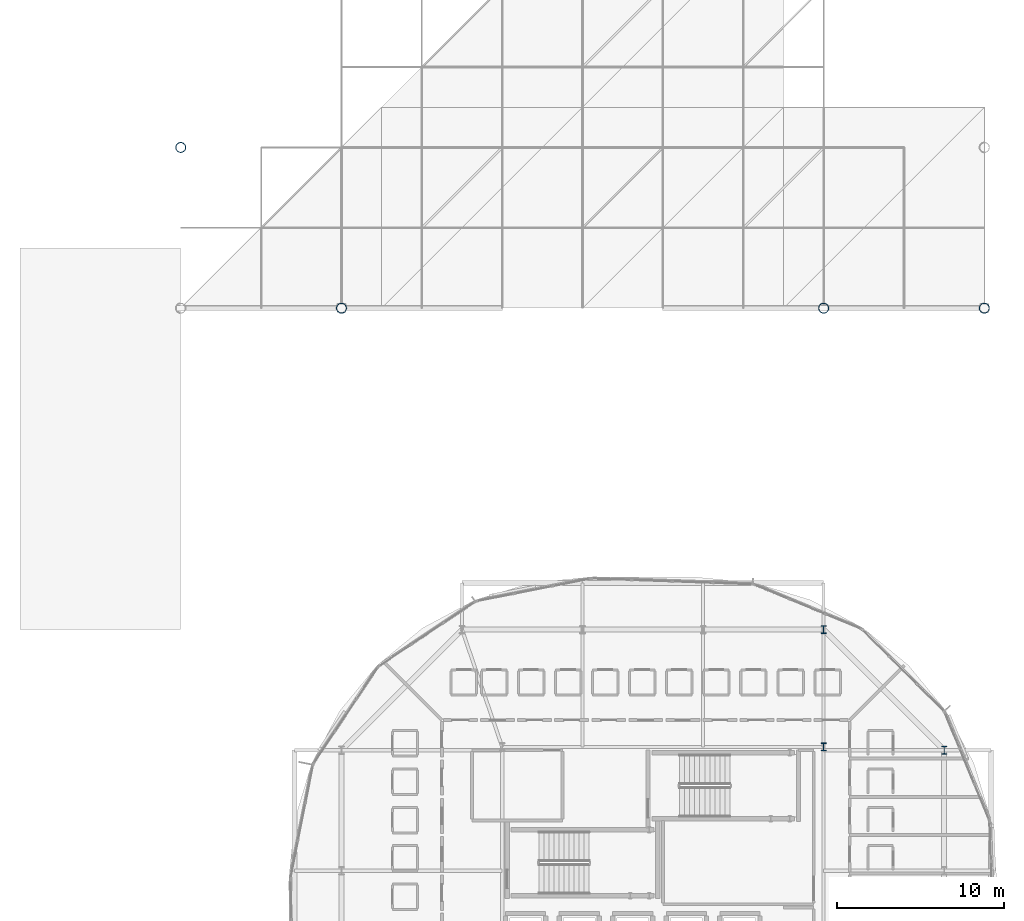
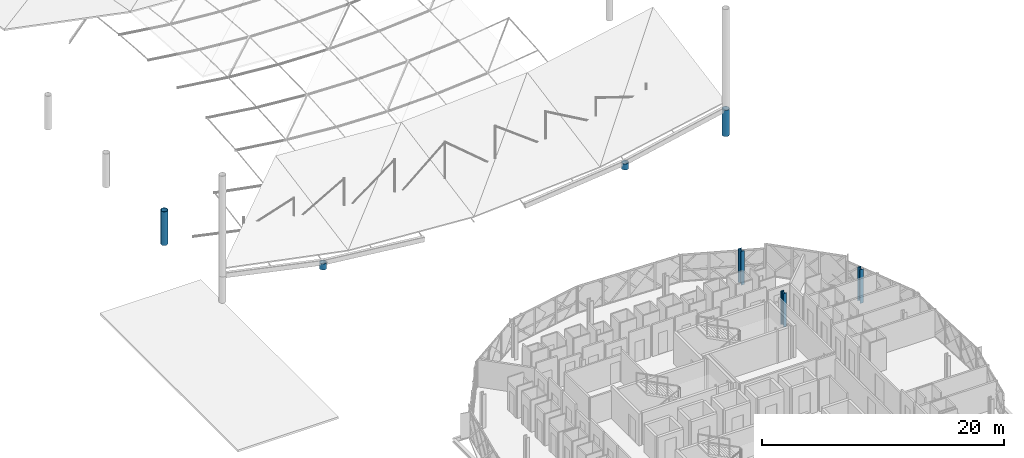
# One storey, part 5 of 40: 7 columns.
"""IFC4 building model written with IfcOpenShell, lengths in metres."""

import ifcopenshell
import ifcopenshell.guid

model = None  # the IFC model being written
_history = None  # IfcOwnerHistory: only IFC2X3 demands one
_inside = {}  # id of a spatial element -> (the spatial element, [elements in it])
_under = {}  # id of a project, library or spatial element -> (it, [spatial elements below it])
_declared = {}  # id of a project -> (the project, [libraries it declares])
_typed = {}  # id of a type object -> (the type object, [elements of that type])
_made_of = {}  # id of a material, layer set ... -> (it, [elements and type objects made of it])


def new_model(schema):
    """Start an empty IFC model of exactly this schema.

    Asked for "IFC4X3", IfcOpenShell would pick the latest addendum, in which some entities
    have other attributes; the version numbers below select the first issue.
    IFC2X3 requires an IfcOwnerHistory on every rooted entity: one is made here for all.
    """
    global model, _history
    if schema == "IFC4X3":
        model = ifcopenshell.file(schema_version=(4, 3, 0, 0))
    else:
        model = ifcopenshell.file(schema=schema)
    _inside.clear()
    _under.clear()
    _declared.clear()
    _typed.clear()
    _made_of.clear()
    _history = None
    if model.schema == "IFC2X3":
        org = make("IfcOrganization", Name="unknown")
        user = make(
            "IfcPersonAndOrganization",
            ThePerson=make("IfcPerson", FamilyName="unknown"),
            TheOrganization=org,
        )
        app = make(
            "IfcApplication",
            ApplicationDeveloper=org,
            Version="unknown",
            ApplicationFullName="unknown",
            ApplicationIdentifier="unknown",
        )
        _history = make(
            "IfcOwnerHistory",
            OwningUser=user,
            OwningApplication=app,
            ChangeAction="ADDED",
            CreationDate=0,
        )
    return model


def make(cls, **values):
    """One entity of the class cls with the attributes given. An attribute that is None is left unset."""
    return model.create_entity(
        cls, **{name: value for name, value in values.items() if value is not None}
    )


def rooted(cls, **values):
    """An entity with a GlobalId (a new one), such as an element, a storey or a relation."""
    return make(cls, GlobalId=ifcopenshell.guid.new(), OwnerHistory=_history, **values)


def si_unit(unit_type, name, prefix=None):
    """IfcSIUnit, for example si_unit("LENGTHUNIT", "METRE", prefix="MILLI")."""
    return make("IfcSIUnit", UnitType=unit_type, Prefix=prefix, Name=name)


def assignment(units):
    """IfcUnitAssignment: the units of a project."""
    return None if units is None else make("IfcUnitAssignment", Units=units)


def point(xyz):
    """IfcCartesianPoint."""
    return None if xyz is None else make("IfcCartesianPoint", Coordinates=xyz)


def direction(xyz):
    """IfcDirection."""
    return None if xyz is None else make("IfcDirection", DirectionRatios=xyz)


def frame(location, z_axis=None, x_axis=None):
    """IfcAxis2Placement3D, a coordinate frame: its origin and axes. An axis left out is left unset."""
    return make(
        "IfcAxis2Placement3D",
        Location=point(location),
        Axis=direction(z_axis),
        RefDirection=direction(x_axis),
    )


def frame_2d(location, x_axis=None):
    """IfcAxis2Placement2D, a coordinate frame in the plane: its origin and x axis."""
    return make(
        "IfcAxis2Placement2D", Location=point(location), RefDirection=direction(x_axis)
    )


def origin():
    """The frame at (0, 0, 0) with its axes left unset."""
    return frame((0.0, 0.0, 0.0))


def origin_2d():
    """The frame at (0, 0) in the plane with its x axis left unset."""
    return frame_2d((0.0, 0.0))


def place(relative_to, where):
    """IfcLocalPlacement: puts the frame where relative to a parent placement (None: the world)."""
    return make(
        "IfcLocalPlacement", PlacementRelTo=relative_to, RelativePlacement=where
    )


def context(
    kind, dimensions, precision=None, world=None, true_north=None, identifier=None
):
    """IfcGeometricRepresentationContext, for example the 3D "Model" context."""
    return make(
        "IfcGeometricRepresentationContext",
        ContextIdentifier=identifier,
        ContextType=kind,
        CoordinateSpaceDimension=dimensions,
        Precision=precision,
        WorldCoordinateSystem=world,
        TrueNorth=true_north,
    )


def subcontext(parent, identifier, kind, view, scale=None):
    """IfcGeometricRepresentationSubContext, for example "Body" below "Model"."""
    return make(
        "IfcGeometricRepresentationSubContext",
        ContextIdentifier=identifier,
        ContextType=kind,
        ParentContext=parent,
        TargetScale=scale,
        TargetView=view,
    )


def project(units=None, contexts=None):
    """IfcProject with its units and contexts."""
    return rooted(
        "IfcProject",
        Name="project",
        RepresentationContexts=contexts,
        UnitsInContext=assignment(units),
    )


def spatial(cls, under=None, at=None, **own):
    """A site, building, storey or space (cls), placed at a placement, below another one or the project."""
    s = rooted(cls, ObjectPlacement=at, **own)
    if under is not None:
        _under.setdefault(under.id(), (under, []))[1].append(s)
    return s


def profile(cls, at=None, kind="AREA", **sizes):
    """A parametric profile (cls). Its sizes go by their IFC names, for example OverallWidth=200.0."""
    return make(cls, ProfileType=kind, Position=at, **sizes)


def hollow_circle(**sizes):
    """IfcCircleHollowProfileDef."""
    return profile("IfcCircleHollowProfileDef", **sizes)


def i_section(**sizes):
    """IfcIShapeProfileDef."""
    return profile("IfcIShapeProfileDef", **sizes)


def extrude(swept, where, along, depth):
    """IfcExtrudedAreaSolid: the profile swept, set in the frame where, extruded along a direction by depth."""
    return make(
        "IfcExtrudedAreaSolid",
        SweptArea=swept,
        Position=where,
        ExtrudedDirection=direction(along),
        Depth=depth,
    )


def shape(context_of_items, identifier, shape_type, items):
    """IfcShapeRepresentation: the items that make up one representation, for example the "Body"."""
    return make(
        "IfcShapeRepresentation",
        ContextOfItems=context_of_items,
        RepresentationIdentifier=identifier,
        RepresentationType=shape_type,
        Items=items,
    )


def material(Name=None, Category=None):
    """IfcMaterial."""
    return make("IfcMaterial", Name=Name, Category=Category)


def material_profile(
    of_material, cross_section, Name=None, Category=None, Priority=None
):
    """IfcMaterialProfile: a cross section and its material."""
    return make(
        "IfcMaterialProfile",
        Name=Name,
        Material=of_material,
        Profile=cross_section,
        Priority=Priority,
        Category=Category,
    )


def profile_set(profiles, Name=None, composite=None):
    """IfcMaterialProfileSet."""
    return make(
        "IfcMaterialProfileSet",
        Name=Name,
        MaterialProfiles=profiles,
        CompositeProfile=composite,
    )


def made_of(thing, what):
    """Note that an element or type object is made of a material, layer set ...; save() writes the relation."""
    if what is not None:
        _made_of.setdefault(what.id(), (what, []))[1].append(thing)
    return thing


def type_object(cls, material=None, **own):
    """A type object (cls), such as IfcWallType, which elements share."""
    return made_of(rooted(cls, **own), material)


def element(
    cls,
    number,
    at=None,
    inside=None,
    cuts=None,
    type_object=None,
    material=None,
    context=None,
    identifier="Body",
    shape_type=None,
    held_by="IfcProductDefinitionShape",
    body=None,
    shapes=None,
    **own,
):
    """One element of the class cls, such as IfcWall. Its Tag is "e" and its number.

    at: its placement. inside: the storey or other place that contains it. cuts: it is an
    opening in that element (IfcRelVoidsElement). A single representation is given by context,
    identifier, shape_type and body (its items); several are given by shapes. held_by: the class
    of the entity that holds the representations. save() writes the other relations.
    """
    e = rooted(cls, Tag="e%d" % number, ObjectPlacement=at, **own)
    if body is not None:
        shapes = [shape(context, identifier, shape_type, body)]
    if shapes is not None:
        e.Representation = make(held_by, Representations=shapes)
    if inside is not None:
        _inside.setdefault(inside.id(), (inside, []))[1].append(e)
    if cuts is not None:
        rooted(
            "IfcRelVoidsElement", RelatingBuildingElement=cuts, RelatedOpeningElement=e
        )
    if type_object is not None:
        _typed.setdefault(type_object.id(), (type_object, []))[1].append(e)
    return made_of(e, material)


def aggregate(whole, parts):
    """IfcRelAggregates: a whole, such as a stair, and the parts it consists of."""
    return rooted("IfcRelAggregates", RelatingObject=whole, RelatedObjects=parts)


def save(model, path):
    """Write the relations noted so far, then the file.

    IfcRelAggregates (storeys below a building ...), IfcRelContainedInSpatialStructure (elements
    in a storey), IfcRelDefinesByType, IfcRelAssociatesMaterial and IfcRelDeclares: one each for
    every whole, place, type object, material and project.
    """
    for whole, parts in _under.values():
        aggregate(whole, parts)
    for where, things in _inside.values():
        rooted(
            "IfcRelContainedInSpatialStructure",
            RelatedElements=things,
            RelatingStructure=where,
        )
    for kind, things in _typed.values():
        rooted("IfcRelDefinesByType", RelatedObjects=things, RelatingType=kind)
    for what, things in _made_of.values():
        rooted("IfcRelAssociatesMaterial", RelatedObjects=things, RelatingMaterial=what)
    for by, libraries in _declared.values():
        rooted("IfcRelDeclares", RelatingContext=by, RelatedDefinitions=libraries)
    model.write(path)


model = new_model("IFC4")

# Units and contexts
model_context = context("Model", 3, precision=1e-05, world=origin(), true_north=direction((0.0, 1.0)))
body_context = subcontext(model_context, "Body", "Model", "MODEL_VIEW")
ifc_project = project(units=[si_unit("LENGTHUNIT", "METRE"), si_unit("AREAUNIT", "SQUARE_METRE"), si_unit("VOLUMEUNIT", "CUBIC_METRE"), si_unit("PLANEANGLEUNIT", "RADIAN"), si_unit("MASSUNIT", "GRAM", prefix="KILO")], contexts=[model_context])

# Site, building, storey
site_placement = place(None, origin())
site = spatial("IfcSite", under=ifc_project, at=site_placement, CompositionType="ELEMENT")
building_placement = place(site_placement, origin())
building = spatial("IfcBuilding", under=site, at=building_placement, Name="Zevrakil Square Congress Hotel", CompositionType="ELEMENT")
storey_placement = place(building_placement, frame((0.0, 0.0, 18.10009765625)))
storey = spatial("IfcBuildingStorey", under=building, at=storey_placement, Name="L05", CompositionType="ELEMENT", Elevation=18.10009765625)

# Columns
ifc_material_1 = material(Name="Steel S355", Category="steel")
ifc_material_profile_1 = material_profile(ifc_material_1, hollow_circle(Radius=0.304931640625, WallThickness=0.02490234375, at=origin_2d()), Name="CHS 610x25")
ifc_profile_set_1 = profile_set([ifc_material_profile_1], Name="Steel S355")
column_type_1 = type_object("IfcColumnType", Name="COL-CHS610", PredefinedType="COLUMN", material=ifc_profile_set_1)
for number, where, z_axis, x_axis, name in (
    (1, (127.199951171875, 64.800048828125, 0.0), (0.0, 0.0, 1.0), (1.0, 0.0, 0.0), "L05 Congress ring pedestal column CP-02"),
    (2, (156.0, 64.800048828125, 0.0), (0.0, 0.0, 1.0), (1.0, 0.0, 0.0), "L05 Congress ring pedestal column CP-05"),
):
    element("IfcColumn", number, at=place(storey_placement, frame(where, z_axis=z_axis, x_axis=x_axis)), inside=storey, type_object=column_type_1, Name=name, PredefinedType="COLUMN", context=body_context, shape_type="SweptSolid", body=[
        extrude(hollow_circle(Radius=0.304931640625, WallThickness=0.02490234375, at=origin_2d()), origin(), (0.0, 0.0, 1.0), 0.601806640625),
    ])
column_1_placement = place(storey_placement, frame((165.60009765625, 64.800048828125, 0.0), z_axis=(0.0, 0.0, 1.0), x_axis=(1.0, 0.0, 0.0)))
element("IfcColumn", 3, at=column_1_placement, inside=storey, type_object=column_type_1, Name="L05 Congress ring pedestal column CP-06", PredefinedType="COLUMN", context=body_context, shape_type="SweptSolid", body=[
    extrude(hollow_circle(Radius=0.304931640625, WallThickness=0.02490234375, at=origin_2d()), origin(), (0.0, 0.0, 1.0), 2.64990234375),
])
column_2_placement = place(storey_placement, frame((117.60009765625, 74.39990234375, 0.0), z_axis=(0.0, 0.0, 1.0), x_axis=(1.0, 0.0, 0.0)))
element("IfcColumn", 4, at=column_2_placement, inside=storey, type_object=column_type_1, Name="L05 Congress ring pedestal column CP-20", PredefinedType="COLUMN", context=body_context, shape_type="SweptSolid", body=[
    extrude(hollow_circle(Radius=0.304931640625, WallThickness=0.02490234375, at=origin_2d()), origin(), (0.0, 0.0, 1.0), 3.39990234375),
])
ifc_material_2 = material(Name="Steel S355", Category="steel")
ifc_material_profile_2 = material_profile(ifc_material_2, i_section(OverallWidth=0.306884765625, OverallDepth=0.47802734375, WebThickness=0.02099609375, FlangeThickness=0.0400390625, FilletRadius=0.027099609375, at=origin_2d()), Name="HEM 450")
ifc_profile_set_2 = profile_set([ifc_material_profile_2], Name="Steel S355")
column_type_2 = type_object("IfcColumnType", Name="COL-HEM450", PredefinedType="COLUMN", material=ifc_profile_set_2)
for number, where, z_axis, x_axis, name in (
    (5, (156.0, 38.60009765625, 0.0), (0.0, 0.0, 1.0), (1.0, 0.0, 0.0), "L05 drum core collar column CC02"),
    (6, (163.199951171875, 38.39990234375, 0.0), (0.0, 0.0, 1.0), (1.0, 0.0, 0.0), "L05 drum column DC08"),
    (7, (156.0, 45.60009765625, 0.0), (0.0, 0.0, 1.0), (1.0, 0.0, 0.0), "L05 drum column DC09"),
):
    element("IfcColumn", number, at=place(storey_placement, frame(where, z_axis=z_axis, x_axis=x_axis)), inside=storey, type_object=column_type_2, Name=name, PredefinedType="COLUMN", context=body_context, shape_type="SweptSolid", body=[
        extrude(i_section(OverallWidth=0.306884765625, OverallDepth=0.47802734375, WebThickness=0.02099609375, FlangeThickness=0.0400390625, FilletRadius=0.027099609375, at=origin_2d()), origin(), (0.0, 0.0, 1.0), 3.39990234375),
    ])

save(model, "model.ifc")
